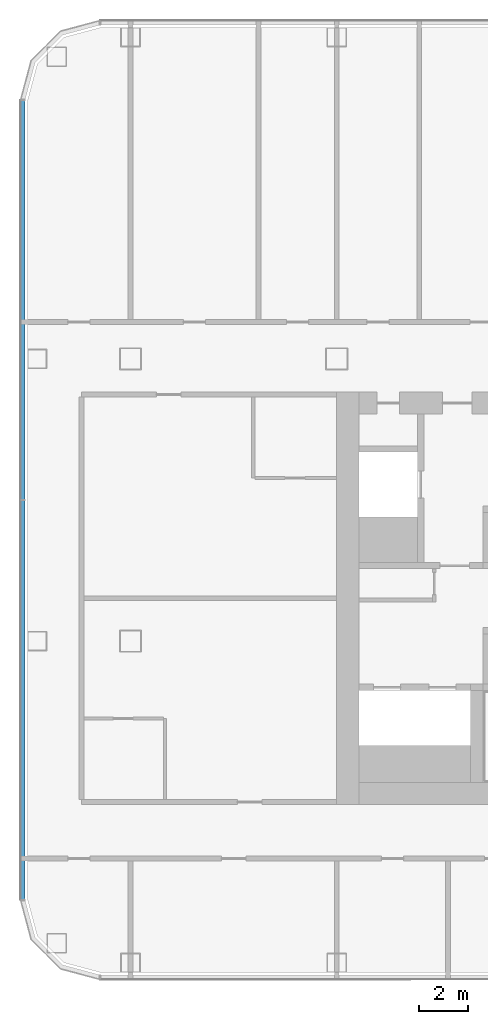
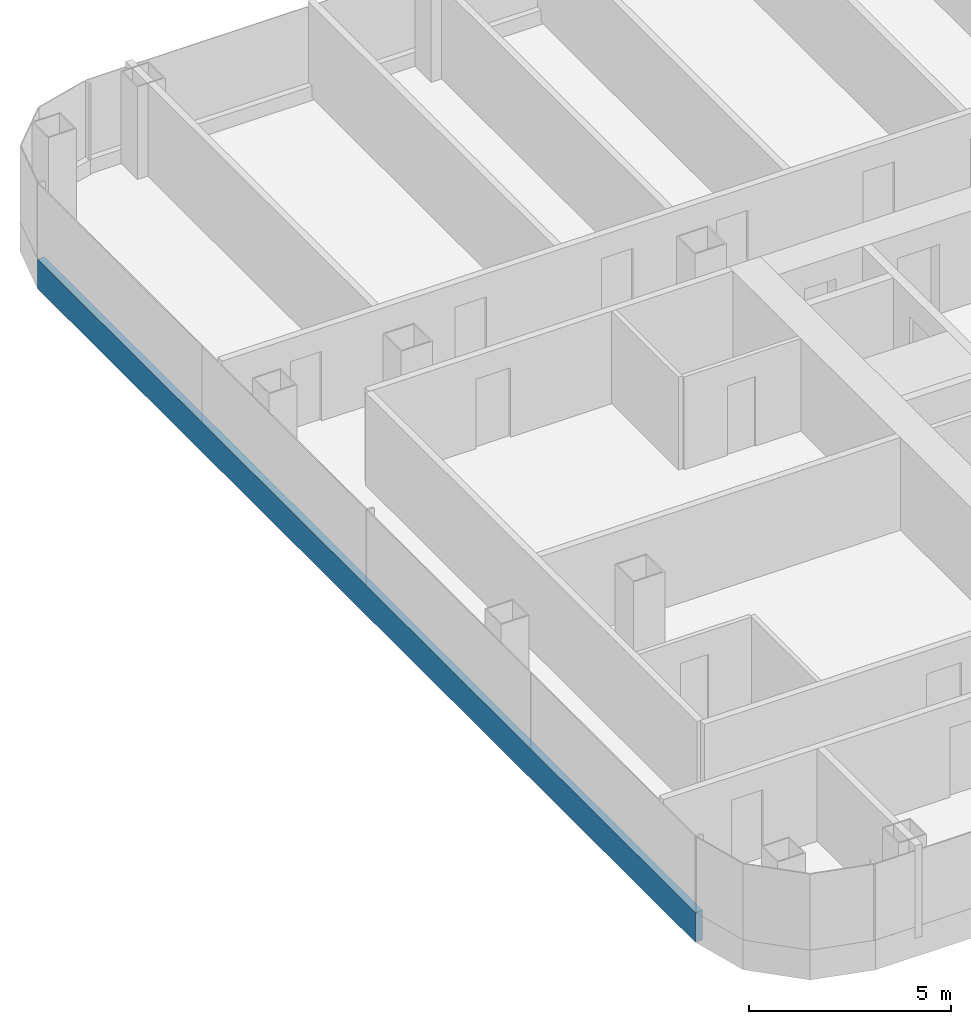
# One storey, part 3 of 29: 1 member, 1 element without a shape of its own.
"""IFC4 building model written with IfcOpenShell, lengths in metres."""

from ifc_helpers import new_model, si_unit, direction, frame, origin, origin_2d, place, context, subcontext, project, spatial, rectangle, extrude, material, layer, layer_set, material_profile, profile_set, type_object, element, aggregate, save


model = new_model("IFC4")

# Units and contexts
model_context = context("Model", 3, precision=1e-05, world=origin(), true_north=direction((0.0, 1.0)))
body_context = subcontext(model_context, "Body", "Model", "MODEL_VIEW")
ifc_project = project(units=[si_unit("LENGTHUNIT", "METRE"), si_unit("AREAUNIT", "SQUARE_METRE"), si_unit("VOLUMEUNIT", "CUBIC_METRE"), si_unit("PLANEANGLEUNIT", "RADIAN"), si_unit("MASSUNIT", "GRAM", prefix="KILO")], contexts=[model_context])

# Site, building, storey
site_placement = place(None, origin())
site = spatial("IfcSite", under=ifc_project, at=site_placement, CompositionType="ELEMENT")
building_placement = place(site_placement, origin())
building = spatial("IfcBuilding", under=site, at=building_placement, Name="Hakoniwa Tower and Hamabe Station Hall", CompositionType="ELEMENT")
storey_placement = place(building_placement, frame((0.0, 0.0, 101.0)))
storey = spatial("IfcBuildingStorey", under=building, at=storey_placement, Name="L28", CompositionType="ELEMENT", Elevation=101.0)

# Curtain wall, member
ifc_material_1 = material(Name="Dark low-e laminated glass", Category="glass")
ifc_layer = layer(ifc_material_1, 0.199951171875)
ifc_layer_set = layer_set([ifc_layer], Name="CW-1 UNITISED GUEST")
curtain_wall_type = type_object("IfcCurtainWallType", Name="CW-1 UNITISED GUEST", PredefinedType="NOTDEFINED", material=ifc_layer_set)
curtain_wall_placement = place(storey_placement, origin())
curtain_wall = element("IfcCurtainWall", 1, at=curtain_wall_placement, inside=storey, type_object=curtain_wall_type, Name="CW-1 curtain wall", PredefinedType="NOTDEFINED")
ifc_material_2 = material(Name="Aluminium 6063-T5 black anodised", Category="aluminium")
ifc_material_profile = material_profile(ifc_material_2, rectangle(XDim=0.199951171875, YDim=0.89990234375, at=origin_2d()), Name="CW SLAB-EDGE BAND 900X200")
ifc_profile_set = profile_set([ifc_material_profile], Name="Aluminium 6063-T5 black anodised")
member_type = type_object("IfcMemberType", Name="CW SLAB-EDGE BAND 900X200", PredefinedType="USERDEFINED", material=ifc_profile_set)
member_placement = place(storey_placement, frame((-46.39990234375, 20.28955078125, -0.10009765625), z_axis=(0.0, -1.0, 0.0), x_axis=(1.0, 0.0, 0.0)))
member = element("IfcMember", 2, at=member_placement, type_object=member_type, Name="CW-1 transom", ObjectType="TRANSOM", PredefinedType="USERDEFINED", context=body_context, shape_type="SweptSolid", body=[
    extrude(rectangle(XDim=0.199951171875, YDim=0.89990234375, at=origin_2d()), origin(), (0.0, 0.0, 1.0), 32.5791015625),
])
aggregate(curtain_wall, [member])

save(model, "model.ifc")
